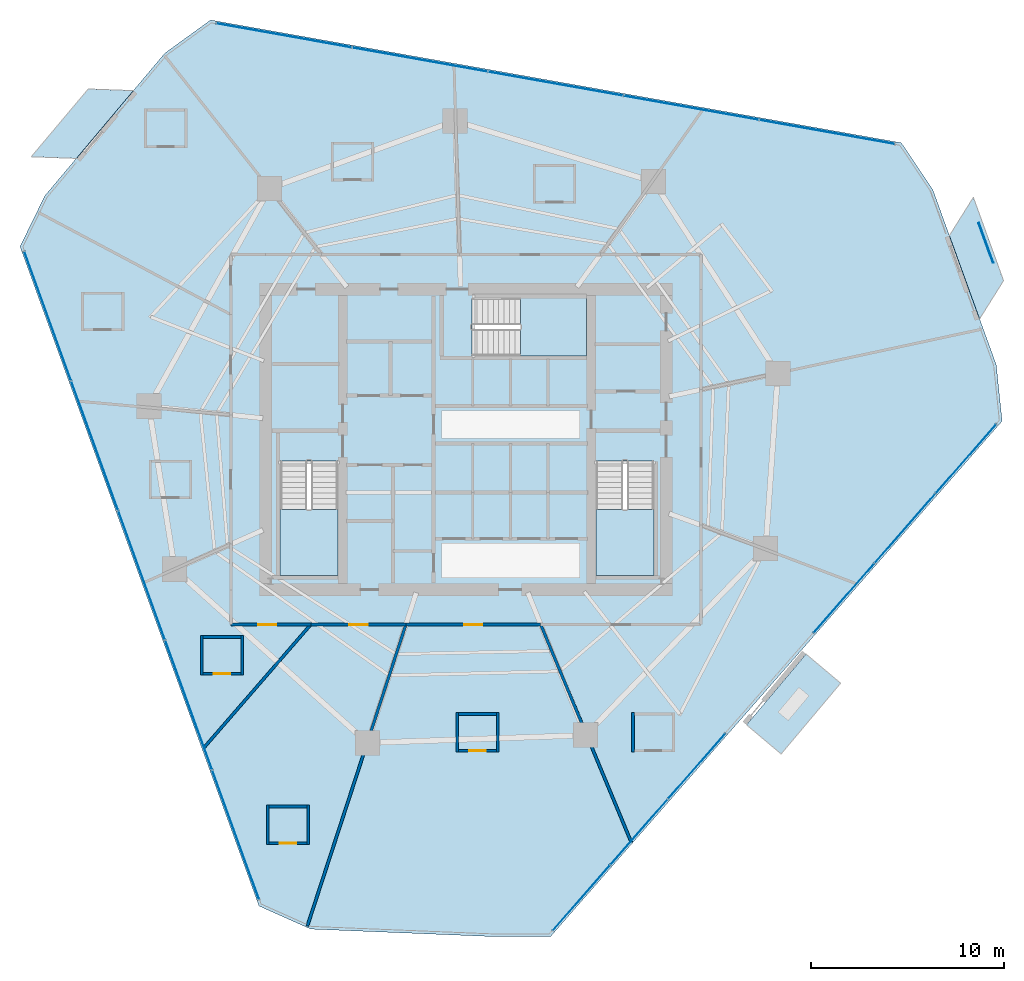
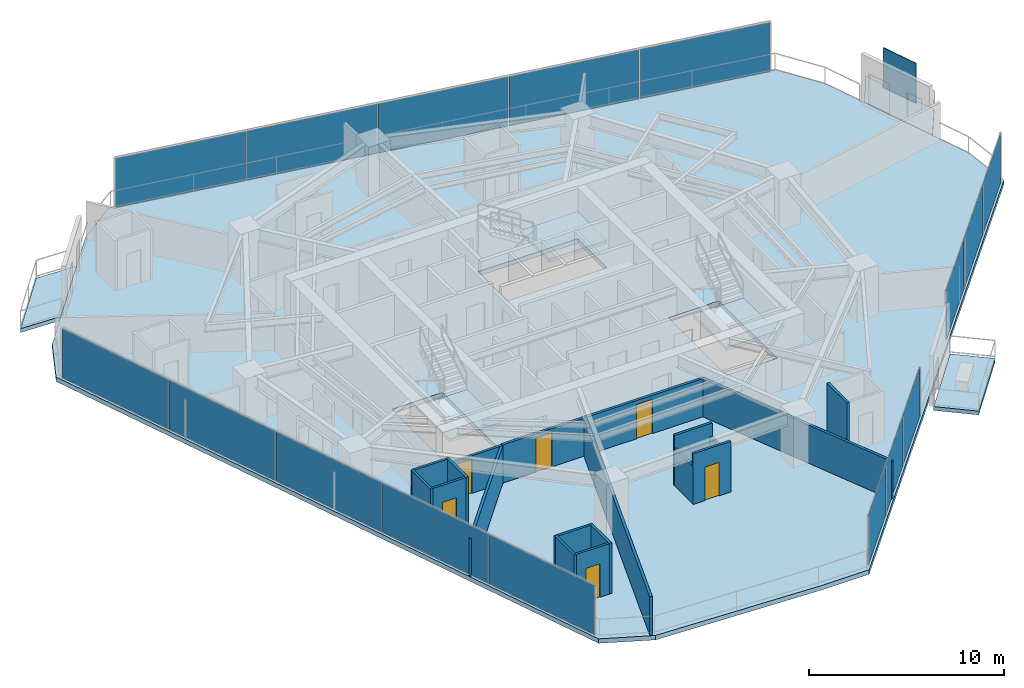
# One storey, part 26 of 33: 19 walls, 17 plates, 7 slabs, 6 doors, 6 openings, 7 elements without a shape of their own.
"""IFC4 building model written with IfcOpenShell, lengths in metres."""

import ifcopenshell
import ifcopenshell.guid

model = None  # the IFC model being written
_history = None  # IfcOwnerHistory: only IFC2X3 demands one
_inside = {}  # id of a spatial element -> (the spatial element, [elements in it])
_under = {}  # id of a project, library or spatial element -> (it, [spatial elements below it])
_declared = {}  # id of a project -> (the project, [libraries it declares])
_typed = {}  # id of a type object -> (the type object, [elements of that type])
_made_of = {}  # id of a material, layer set ... -> (it, [elements and type objects made of it])


def new_model(schema):
    """Start an empty IFC model of exactly this schema.

    Asked for "IFC4X3", IfcOpenShell would pick the latest addendum, in which some entities
    have other attributes; the version numbers below select the first issue.
    IFC2X3 requires an IfcOwnerHistory on every rooted entity: one is made here for all.
    """
    global model, _history
    if schema == "IFC4X3":
        model = ifcopenshell.file(schema_version=(4, 3, 0, 0))
    else:
        model = ifcopenshell.file(schema=schema)
    _inside.clear()
    _under.clear()
    _declared.clear()
    _typed.clear()
    _made_of.clear()
    _history = None
    if model.schema == "IFC2X3":
        org = make("IfcOrganization", Name="unknown")
        user = make(
            "IfcPersonAndOrganization",
            ThePerson=make("IfcPerson", FamilyName="unknown"),
            TheOrganization=org,
        )
        app = make(
            "IfcApplication",
            ApplicationDeveloper=org,
            Version="unknown",
            ApplicationFullName="unknown",
            ApplicationIdentifier="unknown",
        )
        _history = make(
            "IfcOwnerHistory",
            OwningUser=user,
            OwningApplication=app,
            ChangeAction="ADDED",
            CreationDate=0,
        )
    return model


def make(cls, **values):
    """One entity of the class cls with the attributes given. An attribute that is None is left unset."""
    return model.create_entity(
        cls, **{name: value for name, value in values.items() if value is not None}
    )


def rooted(cls, **values):
    """An entity with a GlobalId (a new one), such as an element, a storey or a relation."""
    return make(cls, GlobalId=ifcopenshell.guid.new(), OwnerHistory=_history, **values)


def si_unit(unit_type, name, prefix=None):
    """IfcSIUnit, for example si_unit("LENGTHUNIT", "METRE", prefix="MILLI")."""
    return make("IfcSIUnit", UnitType=unit_type, Prefix=prefix, Name=name)


def assignment(units):
    """IfcUnitAssignment: the units of a project."""
    return None if units is None else make("IfcUnitAssignment", Units=units)


def point(xyz):
    """IfcCartesianPoint."""
    return None if xyz is None else make("IfcCartesianPoint", Coordinates=xyz)


def direction(xyz):
    """IfcDirection."""
    return None if xyz is None else make("IfcDirection", DirectionRatios=xyz)


def frame(location, z_axis=None, x_axis=None):
    """IfcAxis2Placement3D, a coordinate frame: its origin and axes. An axis left out is left unset."""
    return make(
        "IfcAxis2Placement3D",
        Location=point(location),
        Axis=direction(z_axis),
        RefDirection=direction(x_axis),
    )


def frame_2d(location, x_axis=None):
    """IfcAxis2Placement2D, a coordinate frame in the plane: its origin and x axis."""
    return make(
        "IfcAxis2Placement2D", Location=point(location), RefDirection=direction(x_axis)
    )


def origin():
    """The frame at (0, 0, 0) with its axes left unset."""
    return frame((0.0, 0.0, 0.0))


def origin_2d():
    """The frame at (0, 0) in the plane with its x axis left unset."""
    return frame_2d((0.0, 0.0))


def place(relative_to, where):
    """IfcLocalPlacement: puts the frame where relative to a parent placement (None: the world)."""
    return make(
        "IfcLocalPlacement", PlacementRelTo=relative_to, RelativePlacement=where
    )


def context(
    kind, dimensions, precision=None, world=None, true_north=None, identifier=None
):
    """IfcGeometricRepresentationContext, for example the 3D "Model" context."""
    return make(
        "IfcGeometricRepresentationContext",
        ContextIdentifier=identifier,
        ContextType=kind,
        CoordinateSpaceDimension=dimensions,
        Precision=precision,
        WorldCoordinateSystem=world,
        TrueNorth=true_north,
    )


def subcontext(parent, identifier, kind, view, scale=None):
    """IfcGeometricRepresentationSubContext, for example "Body" below "Model"."""
    return make(
        "IfcGeometricRepresentationSubContext",
        ContextIdentifier=identifier,
        ContextType=kind,
        ParentContext=parent,
        TargetScale=scale,
        TargetView=view,
    )


def project(units=None, contexts=None):
    """IfcProject with its units and contexts."""
    return rooted(
        "IfcProject",
        Name="project",
        RepresentationContexts=contexts,
        UnitsInContext=assignment(units),
    )


def spatial(cls, under=None, at=None, **own):
    """A site, building, storey or space (cls), placed at a placement, below another one or the project."""
    s = rooted(cls, ObjectPlacement=at, **own)
    if under is not None:
        _under.setdefault(under.id(), (under, []))[1].append(s)
    return s


def polyline(points):
    """IfcPolyline through the points."""
    return make("IfcPolyline", Points=[point(p) for p in points])


def profile(cls, at=None, kind="AREA", **sizes):
    """A parametric profile (cls). Its sizes go by their IFC names, for example OverallWidth=200.0."""
    return make(cls, ProfileType=kind, Position=at, **sizes)


def rectangle(**sizes):
    """IfcRectangleProfileDef."""
    return profile("IfcRectangleProfileDef", **sizes)


def outline(outer, holes=None, kind="AREA"):
    """IfcArbitraryClosedProfileDef: a profile drawn as a closed curve; with holes, ...WithVoids."""
    if holes is None:
        return make("IfcArbitraryClosedProfileDef", ProfileType=kind, OuterCurve=outer)
    return make(
        "IfcArbitraryProfileDefWithVoids",
        ProfileType=kind,
        OuterCurve=outer,
        InnerCurves=holes,
    )


def extrude(swept, where, along, depth):
    """IfcExtrudedAreaSolid: the profile swept, set in the frame where, extruded along a direction by depth."""
    return make(
        "IfcExtrudedAreaSolid",
        SweptArea=swept,
        Position=where,
        ExtrudedDirection=direction(along),
        Depth=depth,
    )


def shape(context_of_items, identifier, shape_type, items):
    """IfcShapeRepresentation: the items that make up one representation, for example the "Body"."""
    return make(
        "IfcShapeRepresentation",
        ContextOfItems=context_of_items,
        RepresentationIdentifier=identifier,
        RepresentationType=shape_type,
        Items=items,
    )


def material(Name=None, Category=None):
    """IfcMaterial."""
    return make("IfcMaterial", Name=Name, Category=Category)


def layer(
    of_material, thickness, ventilated=None, Name=None, Category=None, Priority=None
):
    """IfcMaterialLayer: one layer of a wall or slab, of a material (None: an air gap)."""
    return make(
        "IfcMaterialLayer",
        Material=of_material,
        LayerThickness=thickness,
        IsVentilated=ventilated,
        Name=Name,
        Category=Category,
        Priority=Priority,
    )


def layer_set(layers, Name=None):
    """IfcMaterialLayerSet."""
    return make("IfcMaterialLayerSet", MaterialLayers=layers, LayerSetName=Name)


def made_of(thing, what):
    """Note that an element or type object is made of a material, layer set ...; save() writes the relation."""
    if what is not None:
        _made_of.setdefault(what.id(), (what, []))[1].append(thing)
    return thing


def type_object(cls, material=None, **own):
    """A type object (cls), such as IfcWallType, which elements share."""
    return made_of(rooted(cls, **own), material)


def element(
    cls,
    number,
    at=None,
    inside=None,
    cuts=None,
    type_object=None,
    material=None,
    context=None,
    identifier="Body",
    shape_type=None,
    held_by="IfcProductDefinitionShape",
    body=None,
    shapes=None,
    **own,
):
    """One element of the class cls, such as IfcWall. Its Tag is "e" and its number.

    at: its placement. inside: the storey or other place that contains it. cuts: it is an
    opening in that element (IfcRelVoidsElement). A single representation is given by context,
    identifier, shape_type and body (its items); several are given by shapes. held_by: the class
    of the entity that holds the representations. save() writes the other relations.
    """
    e = rooted(cls, Tag="e%d" % number, ObjectPlacement=at, **own)
    if body is not None:
        shapes = [shape(context, identifier, shape_type, body)]
    if shapes is not None:
        e.Representation = make(held_by, Representations=shapes)
    if inside is not None:
        _inside.setdefault(inside.id(), (inside, []))[1].append(e)
    if cuts is not None:
        rooted(
            "IfcRelVoidsElement", RelatingBuildingElement=cuts, RelatedOpeningElement=e
        )
    if type_object is not None:
        _typed.setdefault(type_object.id(), (type_object, []))[1].append(e)
    return made_of(e, material)


def fill(opening, filler):
    """IfcRelFillsElement: the door or window that sits in an opening."""
    return rooted(
        "IfcRelFillsElement",
        RelatingOpeningElement=opening,
        RelatedBuildingElement=filler,
    )


def aggregate(whole, parts):
    """IfcRelAggregates: a whole, such as a stair, and the parts it consists of."""
    return rooted("IfcRelAggregates", RelatingObject=whole, RelatedObjects=parts)


def save(model, path):
    """Write the relations noted so far, then the file.

    IfcRelAggregates (storeys below a building ...), IfcRelContainedInSpatialStructure (elements
    in a storey), IfcRelDefinesByType, IfcRelAssociatesMaterial and IfcRelDeclares: one each for
    every whole, place, type object, material and project.
    """
    for whole, parts in _under.values():
        aggregate(whole, parts)
    for where, things in _inside.values():
        rooted(
            "IfcRelContainedInSpatialStructure",
            RelatedElements=things,
            RelatingStructure=where,
        )
    for kind, things in _typed.values():
        rooted("IfcRelDefinesByType", RelatedObjects=things, RelatingType=kind)
    for what, things in _made_of.values():
        rooted("IfcRelAssociatesMaterial", RelatedObjects=things, RelatingMaterial=what)
    for by, libraries in _declared.values():
        rooted("IfcRelDeclares", RelatingContext=by, RelatedDefinitions=libraries)
    model.write(path)


model = new_model("IFC4")

# Units and contexts
model_context = context("Model", 3, precision=1e-05, world=origin(), true_north=direction((0.0, 1.0)))
body_context = subcontext(model_context, "Body", "Model", "MODEL_VIEW")
ifc_project = project(units=[si_unit("LENGTHUNIT", "METRE"), si_unit("AREAUNIT", "SQUARE_METRE"), si_unit("VOLUMEUNIT", "CUBIC_METRE"), si_unit("PLANEANGLEUNIT", "RADIAN"), si_unit("MASSUNIT", "GRAM", prefix="KILO")], contexts=[model_context])

# Site, building, storey
site_placement = place(None, origin())
site = spatial("IfcSite", under=ifc_project, at=site_placement, CompositionType="ELEMENT")
building_placement = place(site_placement, origin())
building = spatial("IfcBuilding", under=site, at=building_placement, Name="Qarnah Convention Tower", CompositionType="ELEMENT")
storey_placement = place(building_placement, frame((0.0, 0.0, 30.449951171875)))
storey = spatial("IfcBuildingStorey", under=building, at=storey_placement, Name="L06", CompositionType="ELEMENT", Elevation=30.449951171875)

# Curtain wall, plates
ifc_material_1 = material(Name="Tempered Low-E dark glass", Category="glass")
ifc_layer_1 = layer(ifc_material_1, 0.16796875)
ifc_layer_set_1 = layer_set([ifc_layer_1], Name="Tempered Low-E dark glass")
curtain_wall_type = type_object("IfcCurtainWallType", Name="CWS-01", PredefinedType="NOTDEFINED", material=ifc_layer_set_1)
curtain_wall_1_placement = place(storey_placement, origin())
curtain_wall_1 = element("IfcCurtainWall", 1, at=curtain_wall_1_placement, inside=storey, type_object=curtain_wall_type, Name="L06 unitised curtain wall CW-L06-F1", PredefinedType="NOTDEFINED")
ifc_layer_2 = layer(ifc_material_1, 0.028076171875)
ifc_layer_set_2 = layer_set([ifc_layer_2], Name="Tempered Low-E dark glass")
plate_type_1 = type_object("IfcPlateType", Name="PNL-T1", PredefinedType="CURTAIN_PANEL", material=ifc_layer_set_2)
plate_1_placement = place(storey_placement, frame((27.74462890625, 47.38134765625, 0.0400390625), z_axis=(0.0, 0.0, 1.0), x_axis=(0.984566891232, -0.175008676041, 0.0)))
plate_1 = element("IfcPlate", 2, at=plate_1_placement, type_object=plate_type_1, Name="CW-L06-F1 curtain panel 1.1", PredefinedType="CURTAIN_PANEL", context=body_context, shape_type="SweptSolid", body=[
    extrude(rectangle(XDim=7.08203125, YDim=0.028076171875, at=origin_2d()), origin(), (0.0, 0.0, 1.0), 3.090087890625),
])
plate_2_placement = place(storey_placement, frame((34.796142578125, 46.1279296875, 0.0400390625), z_axis=(0.0, 0.0, 1.0), x_axis=(0.984566891232, -0.175008676041, 0.0)))
plate_2 = element("IfcPlate", 3, at=plate_2_placement, type_object=plate_type_1, Name="CW-L06-F1 curtain panel 2.1", PredefinedType="CURTAIN_PANEL", context=body_context, shape_type="SweptSolid", body=[
    extrude(rectangle(XDim=7.08203125, YDim=0.028076171875, at=origin_2d()), origin(), (0.0, 0.0, 1.0), 3.090087890625),
])
plate_3_placement = place(storey_placement, frame((41.847412109375, 44.87451171875, 0.0400390625), z_axis=(0.0, 0.0, 1.0), x_axis=(0.984566891232, -0.175008676041, 0.0)))
plate_3 = element("IfcPlate", 4, at=plate_3_placement, type_object=plate_type_1, Name="CW-L06-F1 curtain panel 3.1", PredefinedType="CURTAIN_PANEL", context=body_context, shape_type="SweptSolid", body=[
    extrude(rectangle(XDim=7.08203125, YDim=0.028076171875, at=origin_2d()), origin(), (0.0, 0.0, 1.0), 3.090087890625),
])
plate_4_placement = place(storey_placement, frame((48.89892578125, 43.62109375, 0.0400390625), z_axis=(0.0, 0.0, 1.0), x_axis=(0.984566891232, -0.175008676041, 0.0)))
plate_4 = element("IfcPlate", 5, at=plate_4_placement, type_object=plate_type_1, Name="CW-L06-F1 curtain panel 4.1", PredefinedType="CURTAIN_PANEL", context=body_context, shape_type="SweptSolid", body=[
    extrude(rectangle(XDim=7.08203125, YDim=0.028076171875, at=origin_2d()), origin(), (0.0, 0.0, 1.0), 3.090087890625),
])
plate_5_placement = place(storey_placement, frame((55.9501953125, 42.36767578125, 0.0400390625), z_axis=(0.0, 0.0, 1.0), x_axis=(0.984566891232, -0.175008676041, 0.0)))
plate_5 = element("IfcPlate", 6, at=plate_5_placement, type_object=plate_type_1, Name="CW-L06-F1 curtain panel 5.1", PredefinedType="CURTAIN_PANEL", context=body_context, shape_type="SweptSolid", body=[
    extrude(rectangle(XDim=7.08203125, YDim=0.028076171875, at=origin_2d()), origin(), (0.0, 0.0, 1.0), 3.090087890625),
])
aggregate(curtain_wall_1, [plate_1, plate_2, plate_3, plate_4, plate_5])

curtain_wall_2_placement = place(storey_placement, origin())
curtain_wall_2 = element("IfcCurtainWall", 7, at=curtain_wall_2_placement, inside=storey, type_object=curtain_wall_type, Name="L06 unitised curtain wall CW-L06-F2", PredefinedType="NOTDEFINED")
plate_6_placement = place(storey_placement, frame((25.245849609375, 5.879638671875, 0.0400390625), z_axis=(0.0, 0.0, 1.0), x_axis=(-0.340727130958, 0.940162231867, 0.0)))
plate_6 = element("IfcPlate", 8, at=plate_6_placement, type_object=plate_type_1, Name="CW-L06-F2 curtain panel 1.1", PredefinedType="CURTAIN_PANEL", context=body_context, shape_type="SweptSolid", body=[
    extrude(rectangle(XDim=7.081787109375, YDim=0.028076171875, at=origin_2d()), origin(), (0.0, 0.0, 1.0), 3.090087890625),
])
plate_7_placement = place(storey_placement, frame((22.8056640625, 12.61279296875, 0.0400390625), z_axis=(0.0, 0.0, 1.0), x_axis=(-0.340727130958, 0.940162231867, 0.0)))
plate_7 = element("IfcPlate", 9, at=plate_7_placement, type_object=plate_type_1, Name="CW-L06-F2 curtain panel 2.1", PredefinedType="CURTAIN_PANEL", context=body_context, shape_type="SweptSolid", body=[
    extrude(rectangle(XDim=7.081787109375, YDim=0.028076171875, at=origin_2d()), origin(), (0.0, 0.0, 1.0), 3.090087890625),
])
plate_8_placement = place(storey_placement, frame((20.365478515625, 19.345947265625, 0.0400390625), z_axis=(0.0, 0.0, 1.0), x_axis=(-0.340727130958, 0.940162231867, 0.0)))
plate_8 = element("IfcPlate", 10, at=plate_8_placement, type_object=plate_type_1, Name="CW-L06-F2 curtain panel 3.1", PredefinedType="CURTAIN_PANEL", context=body_context, shape_type="SweptSolid", body=[
    extrude(rectangle(XDim=7.081787109375, YDim=0.028076171875, at=origin_2d()), origin(), (0.0, 0.0, 1.0), 3.090087890625),
])
plate_9_placement = place(storey_placement, frame((17.92529296875, 26.0791015625, 0.0400390625), z_axis=(0.0, 0.0, 1.0), x_axis=(-0.340727130958, 0.940162231867, 0.0)))
plate_9 = element("IfcPlate", 11, at=plate_9_placement, type_object=plate_type_1, Name="CW-L06-F2 curtain panel 4.1", PredefinedType="CURTAIN_PANEL", context=body_context, shape_type="SweptSolid", body=[
    extrude(rectangle(XDim=7.081787109375, YDim=0.028076171875, at=origin_2d()), origin(), (0.0, 0.0, 1.0), 3.090087890625),
])
plate_10_placement = place(storey_placement, frame((15.485107421875, 32.8125, 0.0400390625), z_axis=(0.0, 0.0, 1.0), x_axis=(-0.340727130958, 0.940162231867, 0.0)))
plate_10 = element("IfcPlate", 12, at=plate_10_placement, type_object=plate_type_1, Name="CW-L06-F2 curtain panel 5.1", PredefinedType="CURTAIN_PANEL", context=body_context, shape_type="SweptSolid", body=[
    extrude(rectangle(XDim=7.081787109375, YDim=0.028076171875, at=origin_2d()), origin(), (0.0, 0.0, 1.0), 3.090087890625),
])
aggregate(curtain_wall_2, [plate_6, plate_7, plate_8, plate_9, plate_10])

curtain_wall_3_placement = place(storey_placement, origin())
curtain_wall_3 = element("IfcCurtainWall", 13, at=curtain_wall_3_placement, inside=storey, type_object=curtain_wall_type, Name="L06 unitised curtain wall CW-L06-F3", PredefinedType="NOTDEFINED")
plate_11_placement = place(storey_placement, frame((63.15576171875, 25.40283203125, 0.0400390625), z_axis=(0.0, 0.0, 1.0), x_axis=(-0.658980576102, -0.752159956606, 0.0)))
plate_11 = element("IfcPlate", 14, at=plate_11_placement, type_object=plate_type_1, Name="CW-L06-F3 curtain panel 1.1", PredefinedType="CURTAIN_PANEL", context=body_context, shape_type="SweptSolid", body=[
    extrude(rectangle(XDim=4.72802734375, YDim=0.028076171875, at=origin_2d()), origin(), (0.0, 0.0, 1.0), 3.090087890625),
])
plate_12_placement = place(storey_placement, frame((59.987548828125, 21.78662109375, 0.0400390625), z_axis=(0.0, 0.0, 1.0), x_axis=(-0.658980576102, -0.752159956606, 0.0)))
plate_12 = element("IfcPlate", 15, at=plate_12_placement, type_object=plate_type_1, Name="CW-L06-F3 curtain panel 2.1", PredefinedType="CURTAIN_PANEL", context=body_context, shape_type="SweptSolid", body=[
    extrude(rectangle(XDim=4.72802734375, YDim=0.028076171875, at=origin_2d()), origin(), (0.0, 0.0, 1.0), 3.090087890625),
])
plate_13_placement = place(storey_placement, frame((56.819091796875, 18.170166015625, 0.0400390625), z_axis=(0.0, 0.0, 1.0), x_axis=(-0.658980576102, -0.752159956606, 0.0)))
plate_13 = element("IfcPlate", 16, at=plate_13_placement, type_object=plate_type_1, Name="CW-L06-F3 curtain panel 3.1", PredefinedType="CURTAIN_PANEL", context=body_context, shape_type="SweptSolid", body=[
    extrude(rectangle(XDim=4.72802734375, YDim=0.028076171875, at=origin_2d()), origin(), (0.0, 0.0, 1.0), 3.090087890625),
])
aggregate(curtain_wall_3, [plate_11, plate_12, plate_13])

curtain_wall_4_placement = place(storey_placement, origin())
curtain_wall_4 = element("IfcCurtainWall", 17, at=curtain_wall_4_placement, inside=storey, type_object=curtain_wall_type, Name="L06 unitised curtain wall CW-L06-F4", PredefinedType="NOTDEFINED")
plate_14_placement = place(storey_placement, frame((49.172119140625, 9.441650390625, 0.0400390625), z_axis=(0.0, 0.0, 1.0), x_axis=(-0.658982702781, -0.752158093379, 0.0)))
plate_14 = element("IfcPlate", 18, at=plate_14_placement, type_object=plate_type_1, Name="CW-L06-F4 curtain panel 1.1", PredefinedType="CURTAIN_PANEL", context=body_context, shape_type="SweptSolid", body=[
    extrude(rectangle(XDim=4.459716796875, YDim=0.028076171875, at=origin_2d()), origin(), (0.0, 0.0, 1.0), 3.090087890625),
])
plate_15_placement = place(storey_placement, frame((46.180419921875, 6.027099609375, 0.0400390625), z_axis=(0.0, 0.0, 1.0), x_axis=(-0.658982702781, -0.752158093379, 0.0)))
plate_15 = element("IfcPlate", 19, at=plate_15_placement, type_object=plate_type_1, Name="CW-L06-F4 curtain panel 2.1", PredefinedType="CURTAIN_PANEL", context=body_context, shape_type="SweptSolid", body=[
    extrude(rectangle(XDim=4.459716796875, YDim=0.028076171875, at=origin_2d()), origin(), (0.0, 0.0, 1.0), 3.090087890625),
])
plate_16_placement = place(storey_placement, frame((43.188720703125, 2.6123046875, 0.0400390625), z_axis=(0.0, 0.0, 1.0), x_axis=(-0.658982702781, -0.752158093379, 0.0)))
plate_16 = element("IfcPlate", 20, at=plate_16_placement, type_object=plate_type_1, Name="CW-L06-F4 curtain panel 3.1", PredefinedType="CURTAIN_PANEL", context=body_context, shape_type="SweptSolid", body=[
    extrude(rectangle(XDim=4.459716796875, YDim=0.028076171875, at=origin_2d()), origin(), (0.0, 0.0, 1.0), 3.090087890625),
])
aggregate(curtain_wall_4, [plate_14, plate_15, plate_16])

# Plate
ifc_material_2 = material(Name="Black anodised aluminium", Category="aluminium")
ifc_layer_3 = layer(ifc_material_2, 0.044921875)
ifc_layer_set_3 = layer_set([ifc_layer_3], Name="Black anodised aluminium")
plate_type_2 = type_object("IfcPlateType", Name="SCR-BAL-18", PredefinedType="USERDEFINED", material=ifc_layer_set_3)
plate_17_placement = place(storey_placement, frame((64.19189453125, 36.60888671875, 0.0), z_axis=(0.0, 0.0, 1.0), x_axis=(0.340712674654, -0.940167470896, 0.0)))
element("IfcPlate", 21, at=plate_17_placement, inside=storey, type_object=plate_type_2, Name="L06 perforated desert solar screen BAL-L06-C1", ObjectType="SCREEN", PredefinedType="USERDEFINED", context=body_context, shape_type="SweptSolid", body=[
    extrude(rectangle(XDim=2.199951171875, YDim=0.044921875, at=origin_2d()), origin(), (0.0, 0.0, 1.0), 2.5),
])

# Slabs
ifc_material_3 = material(Name="Concrete C45/55", Category="concrete")
ifc_layer_4 = layer(ifc_material_3, 0.239990234375)
ifc_layer_set_4 = layer_set([ifc_layer_4], Name="Concrete C45/55")
slab_type_1 = type_object("IfcSlabType", Name="SLB-BAL-240", PredefinedType="USERDEFINED", material=ifc_layer_set_4)
slab_1_placement = place(storey_placement, frame((0.0, 0.0, -0.239990234375)))
element("IfcSlab", 22, at=slab_1_placement, inside=storey, type_object=slab_type_1, Name="L06 cantilevered balcony slab BAL-L06-C1", ObjectType="BALCONY", PredefinedType="USERDEFINED", context=body_context, shape_type="SweptSolid", body=[
    extrude(outline(polyline([(63.535888671875, 38.97412109375), (65.10302734375, 34.64990234375), (63.85693359375, 32.660888671875), (62.2900390625, 36.986083984375), (63.535888671875, 38.97412109375)])), origin(), (0.0, 0.0, 1.0), 0.239990234375),
])
slab_2_placement = place(storey_placement, frame((0.0, 0.0, -0.239990234375)))
element("IfcSlab", 23, at=slab_2_placement, inside=storey, type_object=slab_type_1, Name="L06 cantilevered balcony slab BAL-L06-C2", ObjectType="BALCONY", PredefinedType="USERDEFINED", context=body_context, shape_type="SweptSolid", body=[
    extrude(outline(polyline([(14.631103515625, 41.0791015625), (17.593017578125, 44.59912109375), (19.93798828125, 44.513916015625), (16.97607421875, 40.993896484375), (14.631103515625, 41.0791015625)])), origin(), (0.0, 0.0, 1.0), 0.239990234375),
])
slab_3_placement = place(storey_placement, frame((0.0, 0.0, -0.239990234375)))
element("IfcSlab", 24, at=slab_3_placement, inside=storey, type_object=slab_type_1, Name="L06 cantilevered balcony slab VN-L06", ObjectType="BALCONY", PredefinedType="USERDEFINED", context=body_context, shape_type="SweptSolid", body=[
    extrude(outline(polyline([(54.84912109375, 15.26806640625), (56.64697265625, 13.7548828125), (53.556884765625, 10.08203125), (51.759033203125, 11.594970703125), (54.84912109375, 15.26806640625)])), origin(), (0.0, 0.0, 1.0), 0.239990234375),
])

# Stair, slab
ifc_material_4 = material(Name="Concrete C50/60", Category="concrete")
stair_type = type_object("IfcStairType", Name="STR-HTL", PredefinedType="HALF_TURN_STAIR", material=ifc_material_4)
stair_1_placement = place(storey_placement, origin())
stair_1 = element("IfcStair", 25, at=stair_1_placement, inside=storey, type_object=stair_type, Name="L06 Core exit stair ST-1", PredefinedType="HALF_TURN_STAIR")
ifc_layer_5 = layer(ifc_material_4, 0.199951171875)
ifc_layer_set_5 = layer_set([ifc_layer_5], Name="Concrete C50/60")
slab_type_2 = type_object("IfcSlabType", Name="SLB-LANDING-200", PredefinedType="LANDING", material=ifc_layer_set_5)
slab_4_placement = place(storey_placement, frame((0.0, 0.0, 1.525146484375)))
slab_4 = element("IfcSlab", 26, at=slab_4_placement, type_object=slab_type_2, Name="ST-1 landing 1", PredefinedType="LANDING", context=body_context, shape_type="SweptSolid", body=[
    extrude(outline(polyline([(27.550048828125, 22.780029296875), (27.550048828125, 19.35009765625), (30.550048828125, 19.35009765625), (30.550048828125, 22.780029296875), (27.550048828125, 22.780029296875)])), origin(), (0.0, 0.0, 1.0), 0.199951171875),
])
aggregate(stair_1, [slab_4])

stair_2_placement = place(storey_placement, origin())
stair_2 = element("IfcStair", 27, at=stair_2_placement, inside=storey, type_object=stair_type, Name="L06 Core exit stair ST-2", PredefinedType="HALF_TURN_STAIR")
slab_5_placement = place(storey_placement, frame((0.0, 0.0, 1.525146484375)))
slab_5 = element("IfcSlab", 28, at=slab_5_placement, type_object=slab_type_2, Name="ST-2 landing 1", PredefinedType="LANDING", context=body_context, shape_type="SweptSolid", body=[
    extrude(outline(polyline([(43.949951171875, 22.780029296875), (43.949951171875, 19.35009765625), (46.949951171875, 19.35009765625), (46.949951171875, 22.780029296875), (43.949951171875, 22.780029296875)])), origin(), (0.0, 0.0, 1.0), 0.199951171875),
])
aggregate(stair_2, [slab_5])

stair_3_placement = place(storey_placement, origin())
stair_3 = element("IfcStair", 29, at=stair_3_placement, inside=storey, type_object=stair_type, Name="L06 Core exit stair ST-3", PredefinedType="HALF_TURN_STAIR")
slab_6_placement = place(storey_placement, frame((0.0, 0.0, 1.525146484375)))
slab_6 = element("IfcSlab", 30, at=slab_6_placement, type_object=slab_type_2, Name="ST-3 landing 1", PredefinedType="LANDING", context=body_context, shape_type="SweptSolid", body=[
    extrude(outline(polyline([(40.02001953125, 30.75), (43.449951171875, 30.75), (43.449951171875, 33.75), (40.02001953125, 33.75), (40.02001953125, 30.75)])), origin(), (0.0, 0.0, 1.0), 0.199951171875),
])
aggregate(stair_3, [slab_6])

# Slab
ifc_layer_6 = layer(ifc_material_3, 0.280029296875)
ifc_layer_set_6 = layer_set([ifc_layer_6], Name="Concrete C45/55")
slab_type_3 = type_object("IfcSlabType", Name="SLB-TWR-280", PredefinedType="FLOOR", material=ifc_layer_set_6)
slab_7_placement = place(storey_placement, frame((0.0, 0.0, -0.280029296875)))
element("IfcSlab", 31, at=slab_7_placement, inside=storey, type_object=slab_type_3, Name="L06 structural floor slab", PredefinedType="FLOOR", context=body_context, shape_type="SweptSolid", body=[
    extrude(outline(polyline([(59.7919921875, 41.806884765625), (23.945068359375, 48.178955078125), (21.56689453125, 46.45703125), (15.341064453125, 39.056884765625), (14.050048828125, 36.419921875), (26.455078125, 2.18994140625), (29.135009765625, 0.991943359375), (38.656982421875, 0.60009765625), (41.5859375, 0.60009765625), (65.028076171875, 27.35791015625), (64.72509765625, 30.278076171875), (61.429931640625, 39.37109375), (59.7919921875, 41.806884765625)]), holes=[polyline([(27.550048828125, 25.300048828125), (27.550048828125, 19.35009765625), (30.550048828125, 19.35009765625), (30.550048828125, 25.300048828125), (27.550048828125, 25.300048828125)]), polyline([(43.949951171875, 25.300048828125), (43.949951171875, 19.35009765625), (46.949951171875, 19.35009765625), (46.949951171875, 25.300048828125), (43.949951171875, 25.300048828125)]), polyline([(37.5, 30.75), (43.449951171875, 30.75), (43.449951171875, 33.75), (37.5, 33.75), (37.5, 30.75)])]), origin(), (0.0, 0.0, 1.0), 0.280029296875),
])

# Wall
ifc_material_5 = material(Name="Gypsum partition board")
ifc_layer_7 = layer(ifc_material_5, 0.14990234375)
ifc_layer_set_7 = layer_set([ifc_layer_7], Name="Gypsum partition board")
wall_type_1 = type_object("IfcWallType", Name="WL-SUITE-150", PredefinedType="PARTITIONING", material=ifc_layer_set_7)
wall_1_placement = place(storey_placement, frame((23.56494140625, 10.367919921875, 0.0), z_axis=(0.0, 0.0, 1.0), x_axis=(0.65530376331, 0.755365459755, 0.0)))
element("IfcWall", 32, at=wall_1_placement, inside=storey, type_object=wall_type_1, Name="L06 interior wall IW-L06-R-54", PredefinedType="PARTITIONING", context=body_context, shape_type="SweptSolid", body=[
    extrude(rectangle(XDim=8.51513671875, YDim=0.14990234375, at=frame_2d((4.257568359375, 0.0))), origin(), (0.0, 0.0, 1.0), 2.35498046875),
])

# Wall, opening, door
wall_2_placement = place(storey_placement, frame((29.14501953125, 16.800048828125, 0.0), z_axis=(0.0, 0.0, 1.0), x_axis=(-1.0, 0.0, 0.0)))
wall_2 = element("IfcWall", 33, at=wall_2_placement, inside=storey, type_object=wall_type_1, Name="L06 interior wall IW-L06-R-55", PredefinedType="PARTITIONING", context=body_context, shape_type="SweptSolid", body=[
    extrude(rectangle(XDim=4.14501953125, YDim=0.14990234375, at=frame_2d((2.072509765625, 0.0))), origin(), (0.0, 0.0, 1.0), 2.35498046875),
])
opening_1_placement = place(wall_2_placement, frame((1.791015625, 0.0, 0.0)))
opening_1 = element("IfcOpeningElement", 34, at=opening_1_placement, cuts=wall_2, Name="Opening D-0627", PredefinedType="OPENING", context=body_context, shape_type="SweptSolid", body=[
    extrude(rectangle(XDim=0.949951171875, YDim=2.14990234375, at=frame_2d((0.47509765625, 1.074951171875))), frame((0.0, 0.0849609375, 0.0), z_axis=(0.0, -1.0, 0.0), x_axis=(1.0, 0.0, 0.0)), (0.0, 0.0, 1.0), 0.169921875),
])
ifc_material_6 = material(Name="Oak timber veneer", Category="wood")
door_type_1 = type_object("IfcDoorType", Name="DT-HOTEL-950", OperationType="NOTDEFINED", PredefinedType="DOOR", material=ifc_material_6)
door_1_placement = place(opening_1_placement, origin())
door_1 = element("IfcDoor", 35, at=door_1_placement, inside=storey, type_object=door_type_1, Name="Door D-0627", OperationType="SINGLE_SWING_RIGHT", OverallHeight=2.14990234375, OverallWidth=0.949951171875, PredefinedType="DOOR", context=body_context, shape_type="SweptSolid", body=[
    extrude(rectangle(XDim=0.949951171875, YDim=2.14990234375, at=frame_2d((0.47509765625, 1.074951171875))), frame((0.0, 0.02490234375, 0.0), z_axis=(0.0, -1.0, 0.0), x_axis=(1.0, 0.0, 0.0)), (0.0, 0.0, 1.0), 0.050048828125),
])
fill(opening_1, door_1)

# Wall
wall_3_placement = place(storey_placement, frame((28.967041015625, 1.154052734375, 0.0), z_axis=(0.0, 0.0, 1.0), x_axis=(0.310682680086, 0.950513688641, 0.0)))
element("IfcWall", 36, at=wall_3_placement, inside=storey, type_object=wall_type_1, Name="L06 interior wall IW-L06-R-58", PredefinedType="PARTITIONING", context=body_context, shape_type="SweptSolid", body=[
    extrude(rectangle(XDim=16.46044921875, YDim=0.14990234375, at=frame_2d((8.230224609375, 0.0))), origin(), (0.0, 0.0, 1.0), 2.39501953125),
])

# Wall, opening, door
wall_4_placement = place(storey_placement, frame((34.0810546875, 16.800048828125, 0.0), z_axis=(0.0, 0.0, 1.0), x_axis=(-1.0, 0.0, 0.0)))
wall_4 = element("IfcWall", 37, at=wall_4_placement, inside=storey, type_object=wall_type_1, Name="L06 interior wall IW-L06-R-59", PredefinedType="PARTITIONING", context=body_context, shape_type="SweptSolid", body=[
    extrude(rectangle(XDim=4.93603515625, YDim=0.14990234375, at=frame_2d((2.468017578125, 0.0))), origin(), (0.0, 0.0, 1.0), 2.39501953125),
])
opening_2_placement = place(wall_4_placement, frame((1.992919921875, 0.0, 0.0)))
opening_2 = element("IfcOpeningElement", 38, at=opening_2_placement, cuts=wall_4, Name="Opening D-0629", PredefinedType="OPENING", context=body_context, shape_type="SweptSolid", body=[
    extrude(rectangle(XDim=0.949951171875, YDim=2.14990234375, at=frame_2d((0.47509765625, 1.074951171875))), frame((0.0, 0.0849609375, 0.0), z_axis=(0.0, -1.0, 0.0), x_axis=(1.0, 0.0, 0.0)), (0.0, 0.0, 1.0), 0.169921875),
])
door_2_placement = place(opening_2_placement, origin())
door_2 = element("IfcDoor", 39, at=door_2_placement, inside=storey, type_object=door_type_1, Name="Door D-0629", OperationType="SINGLE_SWING_RIGHT", OverallHeight=2.14990234375, OverallWidth=0.949951171875, PredefinedType="DOOR", context=body_context, shape_type="SweptSolid", body=[
    extrude(rectangle(XDim=0.949951171875, YDim=2.14990234375, at=frame_2d((0.47509765625, 1.074951171875))), frame((0.0, 0.02490234375, 0.0), z_axis=(0.0, -1.0, 0.0), x_axis=(1.0, 0.0, 0.0)), (0.0, 0.0, 1.0), 0.050048828125),
])
fill(opening_2, door_2)

# Wall
wall_5_placement = place(storey_placement, frame((45.781005859375, 5.4970703125, 0.0), z_axis=(0.0, 0.0, 1.0), x_axis=(-0.384081462599, 0.923299209405, 0.0)))
element("IfcWall", 40, at=wall_5_placement, inside=storey, type_object=wall_type_1, Name="L06 interior wall IW-L06-R-60", PredefinedType="PARTITIONING", context=body_context, shape_type="SweptSolid", body=[
    extrude(rectangle(XDim=12.241943359375, YDim=0.14990234375, at=frame_2d((6.12109375, 0.0))), origin(), (0.0, 0.0, 1.0), 2.39501953125),
])

# Wall, opening, door
wall_6_placement = place(storey_placement, frame((41.0791015625, 16.800048828125, 0.0), z_axis=(0.0, 0.0, 1.0), x_axis=(-1.0, 0.0, 0.0)))
wall_6 = element("IfcWall", 41, at=wall_6_placement, inside=storey, type_object=wall_type_1, Name="L06 interior wall IW-L06-R-61", PredefinedType="PARTITIONING", context=body_context, shape_type="SweptSolid", body=[
    extrude(rectangle(XDim=6.998046875, YDim=0.14990234375, at=frame_2d((3.4990234375, 0.0))), origin(), (0.0, 0.0, 1.0), 2.39501953125),
])
opening_3_placement = place(wall_6_placement, frame((3.02392578125, 0.0, 0.0)))
opening_3 = element("IfcOpeningElement", 42, at=opening_3_placement, cuts=wall_6, Name="Opening D-0631", PredefinedType="OPENING", context=body_context, shape_type="SweptSolid", body=[
    extrude(rectangle(XDim=0.949951171875, YDim=2.14990234375, at=frame_2d((0.47509765625, 1.074951171875))), frame((0.0, 0.0849609375, 0.0), z_axis=(0.0, -1.0, 0.0), x_axis=(1.0, 0.0, 0.0)), (0.0, 0.0, 1.0), 0.169921875),
])
door_3_placement = place(opening_3_placement, origin())
door_3 = element("IfcDoor", 43, at=door_3_placement, inside=storey, type_object=door_type_1, Name="Door D-0631", OperationType="SINGLE_SWING_RIGHT", OverallHeight=2.14990234375, OverallWidth=0.949951171875, PredefinedType="DOOR", context=body_context, shape_type="SweptSolid", body=[
    extrude(rectangle(XDim=0.949951171875, YDim=2.14990234375, at=frame_2d((0.47509765625, 1.074951171875))), frame((0.0, 0.02490234375, 0.0), z_axis=(0.0, -1.0, 0.0), x_axis=(1.0, 0.0, 0.0)), (0.0, 0.0, 1.0), 0.050048828125),
])
fill(opening_3, door_3)

ifc_layer_8 = layer(ifc_material_5, 0.139892578125)
ifc_layer_set_8 = layer_set([ifc_layer_8], Name="Gypsum partition board")
wall_type_2 = type_object("IfcWallType", Name="WL-WET-140", PredefinedType="PARTITIONING", material=ifc_layer_set_8)
wall_7_placement = place(storey_placement, frame((23.4189453125, 14.2509765625, 0.0), z_axis=(0.0, 0.0, 1.0), x_axis=(1.0, 0.0, 0.0)))
wall_7 = element("IfcWall", 44, at=wall_7_placement, inside=storey, type_object=wall_type_2, Name="L06 interior wall IW-L06-ENS06-1", PredefinedType="PARTITIONING", context=body_context, shape_type="SweptSolid", body=[
    extrude(rectangle(XDim=2.239990234375, YDim=0.139892578125, at=frame_2d((1.1201171875, 0.0))), origin(), (0.0, 0.0, 1.0), 3.170166015625),
])
opening_4_placement = place(wall_7_placement, frame((0.695068359375, 0.0, 0.0)))
opening_4 = element("IfcOpeningElement", 45, at=opening_4_placement, cuts=wall_7, Name="Opening D-0628", PredefinedType="OPENING", context=body_context, shape_type="SweptSolid", body=[
    extrude(rectangle(XDim=0.85009765625, YDim=2.10009765625, at=frame_2d((0.425048828125, 1.050048828125))), frame((0.0, 0.079833984375, 0.0), z_axis=(0.0, -1.0, 0.0), x_axis=(1.0, 0.0, 0.0)), (0.0, 0.0, 1.0), 0.159912109375),
])
door_type_2 = type_object("IfcDoorType", Name="DT-BATH-850", OperationType="NOTDEFINED", PredefinedType="DOOR", material=ifc_material_6)
door_4_placement = place(opening_4_placement, origin())
door_4 = element("IfcDoor", 46, at=door_4_placement, inside=storey, type_object=door_type_2, Name="Door D-0628", OperationType="SINGLE_SWING_LEFT", OverallHeight=2.10009765625, OverallWidth=0.85009765625, PredefinedType="DOOR", context=body_context, shape_type="SweptSolid", body=[
    extrude(rectangle(XDim=0.85009765625, YDim=2.10009765625, at=frame_2d((0.425048828125, 1.050048828125))), frame((0.0, 0.02490234375, 0.0), z_axis=(0.0, -1.0, 0.0), x_axis=(1.0, 0.0, 0.0)), (0.0, 0.0, 1.0), 0.050048828125),
])
fill(opening_4, door_4)

# Walls
wall_8_placement = place(storey_placement, frame((25.589111328125, 14.180908203125, 0.0), z_axis=(0.0, 0.0, 1.0), x_axis=(0.0, 1.0, 0.0)))
element("IfcWall", 47, at=wall_8_placement, inside=storey, type_object=wall_type_2, Name="L06 interior wall IW-L06-ENS06-2", PredefinedType="PARTITIONING", context=body_context, shape_type="SweptSolid", body=[
    extrude(rectangle(XDim=2.0400390625, YDim=0.139892578125, at=frame_2d((1.02001953125, 0.0))), origin(), (0.0, 0.0, 1.0), 3.170166015625),
])
wall_9_placement = place(storey_placement, frame((25.658935546875, 16.15087890625, 0.0), z_axis=(0.0, 0.0, 1.0), x_axis=(-1.0, 0.0, 0.0)))
element("IfcWall", 48, at=wall_9_placement, inside=storey, type_object=wall_type_2, Name="L06 interior wall IW-L06-ENS06-3", PredefinedType="PARTITIONING", context=body_context, shape_type="SweptSolid", body=[
    extrude(rectangle(XDim=2.239990234375, YDim=0.139892578125, at=frame_2d((1.1201171875, 0.0))), origin(), (0.0, 0.0, 1.0), 3.170166015625),
])
wall_10_placement = place(storey_placement, frame((23.489013671875, 16.220947265625, 0.0), z_axis=(0.0, 0.0, 1.0), x_axis=(0.0, -1.0, 0.0)))
element("IfcWall", 49, at=wall_10_placement, inside=storey, type_object=wall_type_2, Name="L06 interior wall IW-L06-ENS06-4", PredefinedType="PARTITIONING", context=body_context, shape_type="SweptSolid", body=[
    extrude(rectangle(XDim=2.0400390625, YDim=0.139892578125, at=frame_2d((1.02001953125, 0.0))), origin(), (0.0, 0.0, 1.0), 3.170166015625),
])

# Wall, opening, door
wall_11_placement = place(storey_placement, frame((26.843994140625, 5.449951171875, 0.0), z_axis=(0.0, 0.0, 1.0), x_axis=(1.0, 0.0, 0.0)))
wall_11 = element("IfcWall", 50, at=wall_11_placement, inside=storey, type_object=wall_type_2, Name="L06 interior wall IW-L06-ENS07-1", PredefinedType="PARTITIONING", context=body_context, shape_type="SweptSolid", body=[
    extrude(rectangle(XDim=2.239990234375, YDim=0.139892578125, at=frame_2d((1.1201171875, 0.0))), origin(), (0.0, 0.0, 1.0), 3.170166015625),
])
opening_5_placement = place(wall_11_placement, frame((0.695068359375, 0.0, 0.0)))
opening_5 = element("IfcOpeningElement", 51, at=opening_5_placement, cuts=wall_11, Name="Opening D-0630", PredefinedType="OPENING", context=body_context, shape_type="SweptSolid", body=[
    extrude(rectangle(XDim=0.85009765625, YDim=2.10009765625, at=frame_2d((0.425048828125, 1.050048828125))), frame((0.0, 0.079833984375, 0.0), z_axis=(0.0, -1.0, 0.0), x_axis=(1.0, 0.0, 0.0)), (0.0, 0.0, 1.0), 0.159912109375),
])
door_5_placement = place(opening_5_placement, origin())
door_5 = element("IfcDoor", 52, at=door_5_placement, inside=storey, type_object=door_type_2, Name="Door D-0630", OperationType="SINGLE_SWING_LEFT", OverallHeight=2.10009765625, OverallWidth=0.85009765625, PredefinedType="DOOR", context=body_context, shape_type="SweptSolid", body=[
    extrude(rectangle(XDim=0.85009765625, YDim=2.10009765625, at=frame_2d((0.425048828125, 1.050048828125))), frame((0.0, 0.02490234375, 0.0), z_axis=(0.0, -1.0, 0.0), x_axis=(1.0, 0.0, 0.0)), (0.0, 0.0, 1.0), 0.050048828125),
])
fill(opening_5, door_5)

# Walls
wall_12_placement = place(storey_placement, frame((29.013916015625, 5.3798828125, 0.0), z_axis=(0.0, 0.0, 1.0), x_axis=(0.0, 1.0, 0.0)))
element("IfcWall", 53, at=wall_12_placement, inside=storey, type_object=wall_type_2, Name="L06 interior wall IW-L06-ENS07-2", PredefinedType="PARTITIONING", context=body_context, shape_type="SweptSolid", body=[
    extrude(rectangle(XDim=2.0400390625, YDim=0.139892578125, at=frame_2d((1.02001953125, 0.0))), origin(), (0.0, 0.0, 1.0), 3.170166015625),
])
wall_13_placement = place(storey_placement, frame((29.083984375, 7.35009765625, 0.0), z_axis=(0.0, 0.0, 1.0), x_axis=(-1.0, 0.0, 0.0)))
element("IfcWall", 54, at=wall_13_placement, inside=storey, type_object=wall_type_2, Name="L06 interior wall IW-L06-ENS07-3", PredefinedType="PARTITIONING", context=body_context, shape_type="SweptSolid", body=[
    extrude(rectangle(XDim=2.239990234375, YDim=0.139892578125, at=frame_2d((1.1201171875, 0.0))), origin(), (0.0, 0.0, 1.0), 3.170166015625),
])
wall_14_placement = place(storey_placement, frame((26.9140625, 7.419921875, 0.0), z_axis=(0.0, 0.0, 1.0), x_axis=(0.0, -1.0, 0.0)))
element("IfcWall", 55, at=wall_14_placement, inside=storey, type_object=wall_type_2, Name="L06 interior wall IW-L06-ENS07-4", PredefinedType="PARTITIONING", context=body_context, shape_type="SweptSolid", body=[
    extrude(rectangle(XDim=2.0400390625, YDim=0.139892578125, at=frame_2d((1.02001953125, 0.0))), origin(), (0.0, 0.0, 1.0), 3.170166015625),
])

# Wall, opening, door
wall_15_placement = place(storey_placement, frame((36.680908203125, 10.25390625, 0.0), z_axis=(0.0, 0.0, 1.0), x_axis=(1.0, 0.0, 0.0)))
wall_15 = element("IfcWall", 56, at=wall_15_placement, inside=storey, type_object=wall_type_2, Name="L06 interior wall IW-L06-ENS08-1", PredefinedType="PARTITIONING", context=body_context, shape_type="SweptSolid", body=[
    extrude(rectangle(XDim=2.239990234375, YDim=0.139892578125, at=frame_2d((1.1201171875, 0.0))), origin(), (0.0, 0.0, 1.0), 3.170166015625),
])
opening_6_placement = place(wall_15_placement, frame((0.695068359375, 0.0, 0.0)))
opening_6 = element("IfcOpeningElement", 57, at=opening_6_placement, cuts=wall_15, Name="Opening D-0632", PredefinedType="OPENING", context=body_context, shape_type="SweptSolid", body=[
    extrude(rectangle(XDim=0.85009765625, YDim=2.10009765625, at=frame_2d((0.425048828125, 1.050048828125))), frame((0.0, 0.079833984375, 0.0), z_axis=(0.0, -1.0, 0.0), x_axis=(1.0, 0.0, 0.0)), (0.0, 0.0, 1.0), 0.159912109375),
])
door_6_placement = place(opening_6_placement, origin())
door_6 = element("IfcDoor", 58, at=door_6_placement, inside=storey, type_object=door_type_2, Name="Door D-0632", OperationType="SINGLE_SWING_LEFT", OverallHeight=2.10009765625, OverallWidth=0.85009765625, PredefinedType="DOOR", context=body_context, shape_type="SweptSolid", body=[
    extrude(rectangle(XDim=0.85009765625, YDim=2.10009765625, at=frame_2d((0.425048828125, 1.050048828125))), frame((0.0, 0.02490234375, 0.0), z_axis=(0.0, -1.0, 0.0), x_axis=(1.0, 0.0, 0.0)), (0.0, 0.0, 1.0), 0.050048828125),
])
fill(opening_6, door_6)

# Walls
wall_16_placement = place(storey_placement, frame((38.85107421875, 10.18408203125, 0.0), z_axis=(0.0, 0.0, 1.0), x_axis=(0.0, 1.0, 0.0)))
element("IfcWall", 59, at=wall_16_placement, inside=storey, type_object=wall_type_2, Name="L06 interior wall IW-L06-ENS08-2", PredefinedType="PARTITIONING", context=body_context, shape_type="SweptSolid", body=[
    extrude(rectangle(XDim=2.0400390625, YDim=0.139892578125, at=frame_2d((1.02001953125, 0.0))), origin(), (0.0, 0.0, 1.0), 2.35498046875),
])
wall_17_placement = place(storey_placement, frame((38.9208984375, 12.154052734375, 0.0), z_axis=(0.0, 0.0, 1.0), x_axis=(-1.0, 0.0, 0.0)))
element("IfcWall", 60, at=wall_17_placement, inside=storey, type_object=wall_type_2, Name="L06 interior wall IW-L06-ENS08-3", PredefinedType="PARTITIONING", context=body_context, shape_type="SweptSolid", body=[
    extrude(rectangle(XDim=2.239990234375, YDim=0.139892578125, at=frame_2d((1.1201171875, 0.0))), origin(), (0.0, 0.0, 1.0), 3.170166015625),
])
wall_18_placement = place(storey_placement, frame((36.7509765625, 12.22412109375, 0.0), z_axis=(0.0, 0.0, 1.0), x_axis=(0.0, -1.0, 0.0)))
element("IfcWall", 61, at=wall_18_placement, inside=storey, type_object=wall_type_2, Name="L06 interior wall IW-L06-ENS08-4", PredefinedType="PARTITIONING", context=body_context, shape_type="SweptSolid", body=[
    extrude(rectangle(XDim=2.0400390625, YDim=0.139892578125, at=frame_2d((1.02001953125, 0.0))), origin(), (0.0, 0.0, 1.0), 2.35498046875),
])
wall_19_placement = place(storey_placement, frame((45.8720703125, 12.22412109375, 0.0), z_axis=(0.0, 0.0, 1.0), x_axis=(0.0, -1.0, 0.0)))
element("IfcWall", 62, at=wall_19_placement, inside=storey, type_object=wall_type_2, Name="L06 interior wall IW-L06-ENS09-4", PredefinedType="PARTITIONING", context=body_context, shape_type="SweptSolid", body=[
    extrude(rectangle(XDim=2.0400390625, YDim=0.139892578125, at=frame_2d((1.02001953125, 0.0))), origin(), (0.0, 0.0, 1.0), 3.170166015625),
])

save(model, "model.ifc")
